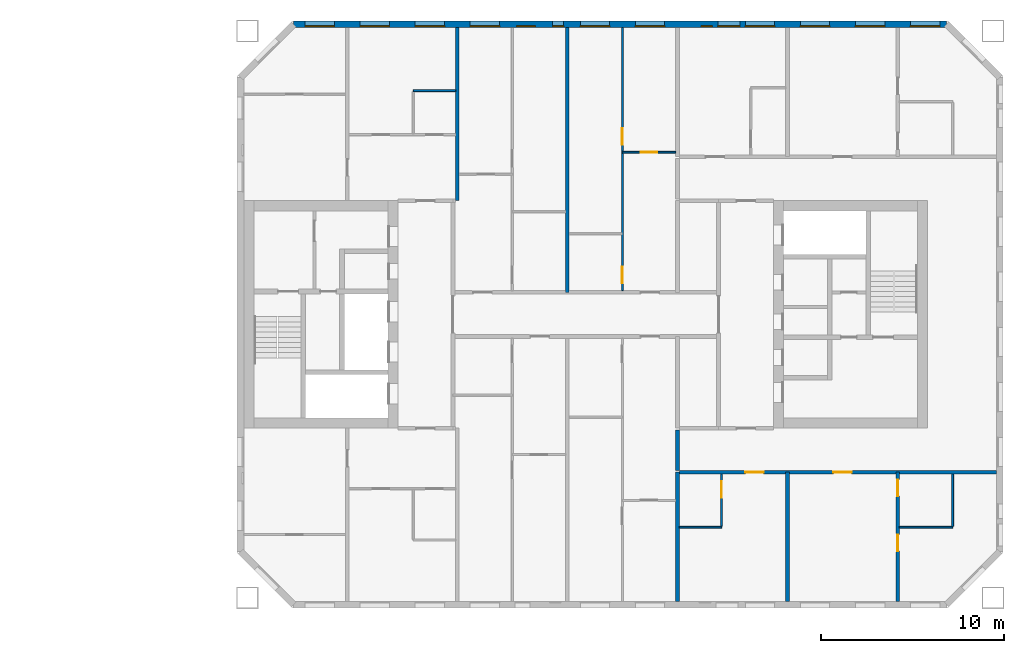
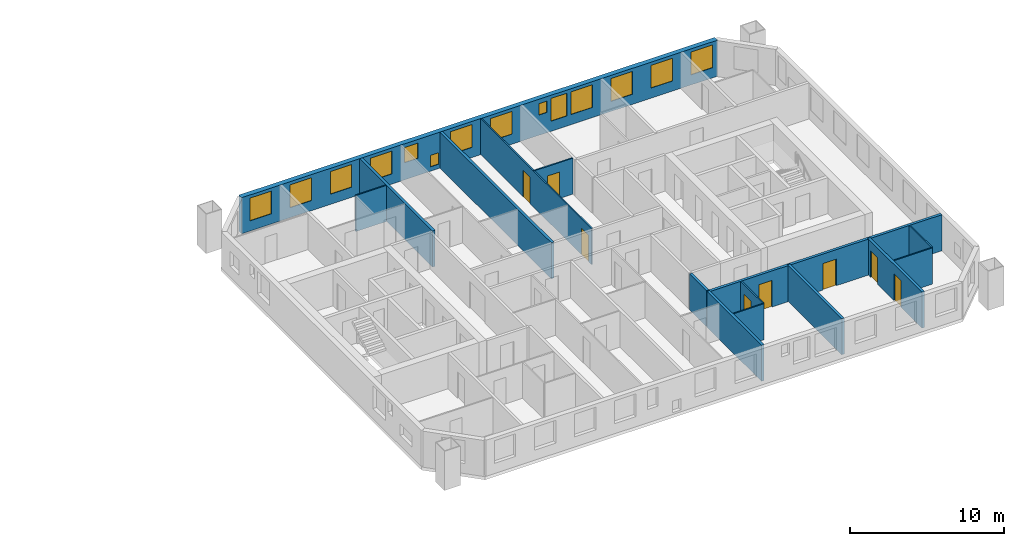
# One storey, part 12 of 16: 15 walls, 14 windows, 8 doors, 22 openings.
"""IFC4 building model written with IfcOpenShell, lengths in metres."""

from ifc_helpers import new_model, si_unit, direction, frame, frame_2d, origin, place, context, subcontext, project, spatial, rectangle, extrude, material, layer, layer_set, type_object, element, fill, save


model = new_model("IFC4")

# Units and contexts
model_context = context("Model", 3, precision=1e-05, world=origin(), true_north=direction((0.0, 1.0)))
body_context = subcontext(model_context, "Body", "Model", "MODEL_VIEW")
ifc_project = project(units=[si_unit("LENGTHUNIT", "METRE"), si_unit("AREAUNIT", "SQUARE_METRE"), si_unit("VOLUMEUNIT", "CUBIC_METRE"), si_unit("PLANEANGLEUNIT", "RADIAN"), si_unit("MASSUNIT", "GRAM", prefix="KILO")], contexts=[model_context])

# Site, building, storey
site_placement = place(None, origin())
site = spatial("IfcSite", under=ifc_project, at=site_placement, CompositionType="ELEMENT")
building_placement = place(site_placement, origin())
building = spatial("IfcBuilding", under=site, at=building_placement, Name="Tuart Gate Housing", CompositionType="ELEMENT")
storey_placement = place(building_placement, frame((0.0, 0.0, 136.10009765625)))
storey = spatial("IfcBuildingStorey", under=building, at=storey_placement, Name="L38", CompositionType="ELEMENT", Elevation=136.10009765625)

# Wall, openings, windows
ifc_material_1 = material(Name="Brick", Category="masonry")
ifc_layer_1 = layer(ifc_material_1, 0.360107421875)
ifc_layer_set_1 = layer_set([ifc_layer_1], Name="Brick pier and spandrel wall 360")
wall_type_1 = type_object("IfcWallType", Name="Brick pier and spandrel wall 360", PredefinedType="STANDARD", material=ifc_layer_set_1)
wall_1_placement = place(storey_placement, frame((169.67529296875, 85.820068359375, 0.0), z_axis=(0.0, 0.0, 1.0), x_axis=(-1.0, 0.0, 0.0)))
wall_1 = element("IfcWall", 1, at=wall_1_placement, inside=storey, type_object=wall_type_1, Name="External wall B-N L38", PredefinedType="STANDARD", context=body_context, shape_type="SweptSolid", body=[
    extrude(rectangle(XDim=35.600830078125, YDim=0.360107421875, at=frame_2d((17.80029296875, 0.0))), origin(), (0.0, 0.0, 1.0), 2.849853515625),
])
opening_1_placement = place(wall_1_placement, frame((0.37548828125, 0.0, 0.800048828125)))
opening_1 = element("IfcOpeningElement", 2, at=opening_1_placement, cuts=wall_1, Name="Opening W1", PredefinedType="OPENING", context=body_context, shape_type="SweptSolid", body=[
    extrude(rectangle(XDim=1.60009765625, YDim=1.800048828125, at=frame_2d((0.800048828125, 0.89990234375))), frame((0.0, 0.18994140625, 0.0), z_axis=(0.0, -1.0, 0.0), x_axis=(1.0, 0.0, 0.0)), (0.0, 0.0, 1.0), 0.380126953125),
])
opening_2_placement = place(wall_1_placement, frame((3.37548828125, 0.0, 0.800048828125)))
opening_2 = element("IfcOpeningElement", 3, at=opening_2_placement, cuts=wall_1, Name="Opening W1", PredefinedType="OPENING", context=body_context, shape_type="SweptSolid", body=[
    extrude(rectangle(XDim=1.60009765625, YDim=1.800048828125, at=frame_2d((0.800048828125, 0.89990234375))), frame((0.0, 0.18994140625, 0.0), z_axis=(0.0, -1.0, 0.0), x_axis=(1.0, 0.0, 0.0)), (0.0, 0.0, 1.0), 0.380126953125),
])
opening_3_placement = place(wall_1_placement, frame((6.37548828125, 0.0, 0.800048828125)))
opening_3 = element("IfcOpeningElement", 4, at=opening_3_placement, cuts=wall_1, Name="Opening W1", PredefinedType="OPENING", context=body_context, shape_type="SweptSolid", body=[
    extrude(rectangle(XDim=1.60009765625, YDim=1.800048828125, at=frame_2d((0.800048828125, 0.89990234375))), frame((0.0, 0.18994140625, 0.0), z_axis=(0.0, -1.0, 0.0), x_axis=(1.0, 0.0, 0.0)), (0.0, 0.0, 1.0), 0.380126953125),
])
opening_4_placement = place(wall_1_placement, frame((9.37548828125, 0.0, 0.800048828125)))
opening_4 = element("IfcOpeningElement", 5, at=opening_4_placement, cuts=wall_1, Name="Opening W1", PredefinedType="OPENING", context=body_context, shape_type="SweptSolid", body=[
    extrude(rectangle(XDim=1.60009765625, YDim=1.800048828125, at=frame_2d((0.800048828125, 0.89990234375))), frame((0.0, 0.18994140625, 0.0), z_axis=(0.0, -1.0, 0.0), x_axis=(1.0, 0.0, 0.0)), (0.0, 0.0, 1.0), 0.380126953125),
])
opening_5_placement = place(wall_1_placement, frame((11.275390625, 0.0, 0.800048828125)))
opening_5 = element("IfcOpeningElement", 6, at=opening_5_placement, cuts=wall_1, Name="Opening W1B", PredefinedType="OPENING", context=body_context, shape_type="SweptSolid", body=[
    extrude(rectangle(XDim=1.199951171875, YDim=1.800048828125, at=frame_2d((0.60009765625, 0.89990234375))), frame((0.0, 0.18994140625, 0.0), z_axis=(0.0, -1.0, 0.0), x_axis=(1.0, 0.0, 0.0)), (0.0, 0.0, 1.0), 0.380126953125),
])
opening_6_placement = place(wall_1_placement, frame((15.37548828125, 0.0, 0.800048828125)))
opening_6 = element("IfcOpeningElement", 7, at=opening_6_placement, cuts=wall_1, Name="Opening W1", PredefinedType="OPENING", context=body_context, shape_type="SweptSolid", body=[
    extrude(rectangle(XDim=1.60009765625, YDim=1.800048828125, at=frame_2d((0.800048828125, 0.89990234375))), frame((0.0, 0.18994140625, 0.0), z_axis=(0.0, -1.0, 0.0), x_axis=(1.0, 0.0, 0.0)), (0.0, 0.0, 1.0), 0.380126953125),
])
opening_7_placement = place(wall_1_placement, frame((18.37548828125, 0.0, 0.800048828125)))
opening_7 = element("IfcOpeningElement", 8, at=opening_7_placement, cuts=wall_1, Name="Opening W1", PredefinedType="OPENING", context=body_context, shape_type="SweptSolid", body=[
    extrude(rectangle(XDim=1.60009765625, YDim=1.800048828125, at=frame_2d((0.800048828125, 0.89990234375))), frame((0.0, 0.18994140625, 0.0), z_axis=(0.0, -1.0, 0.0), x_axis=(1.0, 0.0, 0.0)), (0.0, 0.0, 1.0), 0.380126953125),
])
opening_8_placement = place(wall_1_placement, frame((20.87548828125, 0.0, 0.35009765625)))
opening_8 = element("IfcOpeningElement", 9, at=opening_8_placement, cuts=wall_1, Name="Opening W1W", PredefinedType="OPENING", context=body_context, shape_type="SweptSolid", body=[
    extrude(rectangle(XDim=0.60009765625, YDim=0.89990234375, at=frame_2d((0.300048828125, 0.449951171875))), frame((0.0, 0.18994140625, 0.0), z_axis=(0.0, -1.0, 0.0), x_axis=(1.0, 0.0, 0.0)), (0.0, 0.0, 1.0), 0.380126953125),
])
opening_9_placement = place(wall_1_placement, frame((24.37548828125, 0.0, 0.800048828125)))
opening_9 = element("IfcOpeningElement", 10, at=opening_9_placement, cuts=wall_1, Name="Opening W1", PredefinedType="OPENING", context=body_context, shape_type="SweptSolid", body=[
    extrude(rectangle(XDim=1.60009765625, YDim=1.800048828125, at=frame_2d((0.800048828125, 0.89990234375))), frame((0.0, 0.18994140625, 0.0), z_axis=(0.0, -1.0, 0.0), x_axis=(1.0, 0.0, 0.0)), (0.0, 0.0, 1.0), 0.380126953125),
])
opening_10_placement = place(wall_1_placement, frame((27.37548828125, 0.0, 0.800048828125)))
opening_10 = element("IfcOpeningElement", 11, at=opening_10_placement, cuts=wall_1, Name="Opening W1", PredefinedType="OPENING", context=body_context, shape_type="SweptSolid", body=[
    extrude(rectangle(XDim=1.60009765625, YDim=1.800048828125, at=frame_2d((0.800048828125, 0.89990234375))), frame((0.0, 0.18994140625, 0.0), z_axis=(0.0, -1.0, 0.0), x_axis=(1.0, 0.0, 0.0)), (0.0, 0.0, 1.0), 0.380126953125),
])
opening_11_placement = place(wall_1_placement, frame((30.37548828125, 0.0, 0.800048828125)))
opening_11 = element("IfcOpeningElement", 12, at=opening_11_placement, cuts=wall_1, Name="Opening W1", PredefinedType="OPENING", context=body_context, shape_type="SweptSolid", body=[
    extrude(rectangle(XDim=1.60009765625, YDim=1.800048828125, at=frame_2d((0.800048828125, 0.89990234375))), frame((0.0, 0.18994140625, 0.0), z_axis=(0.0, -1.0, 0.0), x_axis=(1.0, 0.0, 0.0)), (0.0, 0.0, 1.0), 0.380126953125),
])
opening_12_placement = place(wall_1_placement, frame((33.37548828125, 0.0, 0.800048828125)))
opening_12 = element("IfcOpeningElement", 13, at=opening_12_placement, cuts=wall_1, Name="Opening W1", PredefinedType="OPENING", context=body_context, shape_type="SweptSolid", body=[
    extrude(rectangle(XDim=1.60009765625, YDim=1.800048828125, at=frame_2d((0.800048828125, 0.89990234375))), frame((0.0, 0.18994140625, 0.0), z_axis=(0.0, -1.0, 0.0), x_axis=(1.0, 0.0, 0.0)), (0.0, 0.0, 1.0), 0.380126953125),
])
opening_13_placement = place(wall_1_placement, frame((12.775390625, 0.0, 1.60009765625)))
opening_13 = element("IfcOpeningElement", 14, at=opening_13_placement, cuts=wall_1, Name="Opening W1W", PredefinedType="OPENING", context=body_context, shape_type="SweptSolid", body=[
    extrude(rectangle(XDim=0.60009765625, YDim=0.89990234375, at=frame_2d((0.300048828125, 0.449951171875))), frame((0.0, 0.18994140625, 0.0), z_axis=(0.0, -1.0, 0.0), x_axis=(1.0, 0.0, 0.0)), (0.0, 0.0, 1.0), 0.380126953125),
])
opening_14_placement = place(wall_1_placement, frame((22.42529296875, 0.0, 1.35009765625)))
opening_14 = element("IfcOpeningElement", 15, at=opening_14_placement, cuts=wall_1, Name="Opening W1O", PredefinedType="OPENING", context=body_context, shape_type="SweptSolid", body=[
    extrude(rectangle(XDim=1.0, YDim=1.199951171875, at=frame_2d((0.5, 0.60009765625))), frame((0.0, 0.18994140625, 0.0), z_axis=(0.0, -1.0, 0.0), x_axis=(1.0, 0.0, 0.0)), (0.0, 0.0, 1.0), 0.380126953125),
])
ifc_material_2 = material(Name="Aluminium frame with clear glass", Category="aluminium")
window_type_1 = type_object("IfcWindowType", Name="Punched window 1000 x 1200", PartitioningType="SINGLE_PANEL", PredefinedType="WINDOW", material=ifc_material_2)
window_1_placement = place(opening_14_placement, origin())
window_1 = element("IfcWindow", 16, at=window_1_placement, inside=storey, type_object=window_type_1, Name="Window W1O", OverallHeight=1.199951171875, OverallWidth=1.0, PartitioningType="SINGLE_PANEL", PredefinedType="WINDOW", context=body_context, shape_type="SweptSolid", body=[
    extrude(rectangle(XDim=1.0, YDim=1.199951171875, at=frame_2d((0.5, 0.60009765625))), frame((0.0, 0.150146484375, 0.0), z_axis=(0.0, -1.0, 0.0), x_axis=(1.0, 0.0, 0.0)), (0.0, 0.0, 1.0), 0.06005859375),
])
fill(opening_14, window_1)
ifc_material_3 = material(Name="Aluminium frame with clear glass", Category="aluminium")
window_type_2 = type_object("IfcWindowType", Name="Punched window 1200 x 1800", PartitioningType="SINGLE_PANEL", PredefinedType="WINDOW", material=ifc_material_3)
window_2_placement = place(opening_5_placement, origin())
window_2 = element("IfcWindow", 17, at=window_2_placement, inside=storey, type_object=window_type_2, Name="Window W1B", OverallHeight=1.800048828125, OverallWidth=1.199951171875, PartitioningType="SINGLE_PANEL", PredefinedType="WINDOW", context=body_context, shape_type="SweptSolid", body=[
    extrude(rectangle(XDim=1.199951171875, YDim=1.800048828125, at=frame_2d((0.60009765625, 0.89990234375))), frame((0.0, 0.150146484375, 0.0), z_axis=(0.0, -1.0, 0.0), x_axis=(1.0, 0.0, 0.0)), (0.0, 0.0, 1.0), 0.06005859375),
])
fill(opening_5, window_2)
ifc_material_4 = material(Name="Aluminium frame with clear glass", Category="aluminium")
window_type_3 = type_object("IfcWindowType", Name="Punched window 1600 x 1800", PartitioningType="SINGLE_PANEL", PredefinedType="WINDOW", material=ifc_material_4)
window_3_placement = place(opening_1_placement, origin())
window_3 = element("IfcWindow", 18, at=window_3_placement, inside=storey, type_object=window_type_3, Name="Window W1", OverallHeight=1.800048828125, OverallWidth=1.60009765625, PartitioningType="SINGLE_PANEL", PredefinedType="WINDOW", context=body_context, shape_type="SweptSolid", body=[
    extrude(rectangle(XDim=1.60009765625, YDim=1.800048828125, at=frame_2d((0.800048828125, 0.89990234375))), frame((0.0, 0.150146484375, 0.0), z_axis=(0.0, -1.0, 0.0), x_axis=(1.0, 0.0, 0.0)), (0.0, 0.0, 1.0), 0.06005859375),
])
fill(opening_1, window_3)
window_4_placement = place(opening_2_placement, origin())
window_4 = element("IfcWindow", 19, at=window_4_placement, inside=storey, type_object=window_type_3, Name="Window W1", OverallHeight=1.800048828125, OverallWidth=1.60009765625, PartitioningType="SINGLE_PANEL", PredefinedType="WINDOW", context=body_context, shape_type="SweptSolid", body=[
    extrude(rectangle(XDim=1.60009765625, YDim=1.800048828125, at=frame_2d((0.800048828125, 0.89990234375))), frame((0.0, 0.150146484375, 0.0), z_axis=(0.0, -1.0, 0.0), x_axis=(1.0, 0.0, 0.0)), (0.0, 0.0, 1.0), 0.06005859375),
])
fill(opening_2, window_4)
window_5_placement = place(opening_3_placement, origin())
window_5 = element("IfcWindow", 20, at=window_5_placement, inside=storey, type_object=window_type_3, Name="Window W1", OverallHeight=1.800048828125, OverallWidth=1.60009765625, PartitioningType="SINGLE_PANEL", PredefinedType="WINDOW", context=body_context, shape_type="SweptSolid", body=[
    extrude(rectangle(XDim=1.60009765625, YDim=1.800048828125, at=frame_2d((0.800048828125, 0.89990234375))), frame((0.0, 0.150146484375, 0.0), z_axis=(0.0, -1.0, 0.0), x_axis=(1.0, 0.0, 0.0)), (0.0, 0.0, 1.0), 0.06005859375),
])
fill(opening_3, window_5)
window_6_placement = place(opening_4_placement, origin())
window_6 = element("IfcWindow", 21, at=window_6_placement, inside=storey, type_object=window_type_3, Name="Window W1", OverallHeight=1.800048828125, OverallWidth=1.60009765625, PartitioningType="SINGLE_PANEL", PredefinedType="WINDOW", context=body_context, shape_type="SweptSolid", body=[
    extrude(rectangle(XDim=1.60009765625, YDim=1.800048828125, at=frame_2d((0.800048828125, 0.89990234375))), frame((0.0, 0.150146484375, 0.0), z_axis=(0.0, -1.0, 0.0), x_axis=(1.0, 0.0, 0.0)), (0.0, 0.0, 1.0), 0.06005859375),
])
fill(opening_4, window_6)
window_7_placement = place(opening_6_placement, origin())
window_7 = element("IfcWindow", 22, at=window_7_placement, inside=storey, type_object=window_type_3, Name="Window W1", OverallHeight=1.800048828125, OverallWidth=1.60009765625, PartitioningType="SINGLE_PANEL", PredefinedType="WINDOW", context=body_context, shape_type="SweptSolid", body=[
    extrude(rectangle(XDim=1.60009765625, YDim=1.800048828125, at=frame_2d((0.800048828125, 0.89990234375))), frame((0.0, 0.150146484375, 0.0), z_axis=(0.0, -1.0, 0.0), x_axis=(1.0, 0.0, 0.0)), (0.0, 0.0, 1.0), 0.06005859375),
])
fill(opening_6, window_7)
window_8_placement = place(opening_7_placement, origin())
window_8 = element("IfcWindow", 23, at=window_8_placement, inside=storey, type_object=window_type_3, Name="Window W1", OverallHeight=1.800048828125, OverallWidth=1.60009765625, PartitioningType="SINGLE_PANEL", PredefinedType="WINDOW", context=body_context, shape_type="SweptSolid", body=[
    extrude(rectangle(XDim=1.60009765625, YDim=1.800048828125, at=frame_2d((0.800048828125, 0.89990234375))), frame((0.0, 0.150146484375, 0.0), z_axis=(0.0, -1.0, 0.0), x_axis=(1.0, 0.0, 0.0)), (0.0, 0.0, 1.0), 0.06005859375),
])
fill(opening_7, window_8)
window_9_placement = place(opening_9_placement, origin())
window_9 = element("IfcWindow", 24, at=window_9_placement, inside=storey, type_object=window_type_3, Name="Window W1", OverallHeight=1.800048828125, OverallWidth=1.60009765625, PartitioningType="SINGLE_PANEL", PredefinedType="WINDOW", context=body_context, shape_type="SweptSolid", body=[
    extrude(rectangle(XDim=1.60009765625, YDim=1.800048828125, at=frame_2d((0.800048828125, 0.89990234375))), frame((0.0, 0.150146484375, 0.0), z_axis=(0.0, -1.0, 0.0), x_axis=(1.0, 0.0, 0.0)), (0.0, 0.0, 1.0), 0.06005859375),
])
fill(opening_9, window_9)
window_10_placement = place(opening_10_placement, origin())
window_10 = element("IfcWindow", 25, at=window_10_placement, inside=storey, type_object=window_type_3, Name="Window W1", OverallHeight=1.800048828125, OverallWidth=1.60009765625, PartitioningType="SINGLE_PANEL", PredefinedType="WINDOW", context=body_context, shape_type="SweptSolid", body=[
    extrude(rectangle(XDim=1.60009765625, YDim=1.800048828125, at=frame_2d((0.800048828125, 0.89990234375))), frame((0.0, 0.150146484375, 0.0), z_axis=(0.0, -1.0, 0.0), x_axis=(1.0, 0.0, 0.0)), (0.0, 0.0, 1.0), 0.06005859375),
])
fill(opening_10, window_10)
window_11_placement = place(opening_11_placement, origin())
window_11 = element("IfcWindow", 26, at=window_11_placement, inside=storey, type_object=window_type_3, Name="Window W1", OverallHeight=1.800048828125, OverallWidth=1.60009765625, PartitioningType="SINGLE_PANEL", PredefinedType="WINDOW", context=body_context, shape_type="SweptSolid", body=[
    extrude(rectangle(XDim=1.60009765625, YDim=1.800048828125, at=frame_2d((0.800048828125, 0.89990234375))), frame((0.0, 0.150146484375, 0.0), z_axis=(0.0, -1.0, 0.0), x_axis=(1.0, 0.0, 0.0)), (0.0, 0.0, 1.0), 0.06005859375),
])
fill(opening_11, window_11)
window_12_placement = place(opening_12_placement, origin())
window_12 = element("IfcWindow", 27, at=window_12_placement, inside=storey, type_object=window_type_3, Name="Window W1", OverallHeight=1.800048828125, OverallWidth=1.60009765625, PartitioningType="SINGLE_PANEL", PredefinedType="WINDOW", context=body_context, shape_type="SweptSolid", body=[
    extrude(rectangle(XDim=1.60009765625, YDim=1.800048828125, at=frame_2d((0.800048828125, 0.89990234375))), frame((0.0, 0.150146484375, 0.0), z_axis=(0.0, -1.0, 0.0), x_axis=(1.0, 0.0, 0.0)), (0.0, 0.0, 1.0), 0.06005859375),
])
fill(opening_12, window_12)
ifc_material_5 = material(Name="Aluminium frame with clear glass", Category="aluminium")
window_type_4 = type_object("IfcWindowType", Name="Punched window 600 x 900", PartitioningType="SINGLE_PANEL", PredefinedType="WINDOW", material=ifc_material_5)
window_13_placement = place(opening_8_placement, origin())
window_13 = element("IfcWindow", 28, at=window_13_placement, inside=storey, type_object=window_type_4, Name="Window W1W", OverallHeight=0.89990234375, OverallWidth=0.60009765625, PartitioningType="SINGLE_PANEL", PredefinedType="WINDOW", context=body_context, shape_type="SweptSolid", body=[
    extrude(rectangle(XDim=0.60009765625, YDim=0.89990234375, at=frame_2d((0.300048828125, 0.449951171875))), frame((0.0, 0.150146484375, 0.0), z_axis=(0.0, -1.0, 0.0), x_axis=(1.0, 0.0, 0.0)), (0.0, 0.0, 1.0), 0.06005859375),
])
fill(opening_8, window_13)
window_14_placement = place(opening_13_placement, origin())
window_14 = element("IfcWindow", 29, at=window_14_placement, inside=storey, type_object=window_type_4, Name="Window W1W", OverallHeight=0.89990234375, OverallWidth=0.60009765625, PartitioningType="SINGLE_PANEL", PredefinedType="WINDOW", context=body_context, shape_type="SweptSolid", body=[
    extrude(rectangle(XDim=0.60009765625, YDim=0.89990234375, at=frame_2d((0.300048828125, 0.449951171875))), frame((0.0, 0.150146484375, 0.0), z_axis=(0.0, -1.0, 0.0), x_axis=(1.0, 0.0, 0.0)), (0.0, 0.0, 1.0), 0.06005859375),
])
fill(opening_13, window_14)

# Wall, openings, doors
ifc_material_6 = material(Name="Concrete masonry 15 MPa", Category="masonry")
ifc_layer_2 = layer(ifc_material_6, 0.199951171875)
ifc_layer_set_2 = layer_set([ifc_layer_2], Name="Corridor wall masonry 200")
wall_type_2 = type_object("IfcWallType", Name="Corridor wall masonry 200", PredefinedType="PARTITIONING", material=ifc_layer_set_2)
wall_2_placement = place(storey_placement, frame((155.10009765625, 61.39990234375, 0.0), z_axis=(0.0, 0.0, 1.0), x_axis=(1.0, 0.0, 0.0)))
wall_2 = element("IfcWall", 30, at=wall_2_placement, inside=storey, type_object=wall_type_2, Name="Corridor wall masonry 200", PredefinedType="PARTITIONING", context=body_context, shape_type="SweptSolid", body=[
    extrude(rectangle(XDim=17.289794921875, YDim=0.199951171875, at=frame_2d((8.64501953125, 0.0))), origin(), (0.0, 0.0, 1.0), 2.849853515625),
])
opening_15_placement = place(wall_2_placement, frame((3.60009765625, 0.0, 0.0)))
opening_15 = element("IfcOpeningElement", 31, at=opening_15_placement, cuts=wall_2, Name="Opening D1506", PredefinedType="OPENING", context=body_context, shape_type="SweptSolid", body=[
    extrude(rectangle(XDim=1.0, YDim=2.10009765625, at=frame_2d((0.5, 1.050048828125))), frame((0.0, 0.10986328125, 0.0), z_axis=(0.0, -1.0, 0.0), x_axis=(1.0, 0.0, 0.0)), (0.0, 0.0, 1.0), 0.219970703125),
])
opening_16_placement = place(wall_2_placement, frame((8.39990234375, 0.0, 0.0)))
opening_16 = element("IfcOpeningElement", 32, at=opening_16_placement, cuts=wall_2, Name="Opening D1507", PredefinedType="OPENING", context=body_context, shape_type="SweptSolid", body=[
    extrude(rectangle(XDim=1.0, YDim=2.10009765625, at=frame_2d((0.5, 1.050048828125))), frame((0.0, 0.10986328125, 0.0), z_axis=(0.0, -1.0, 0.0), x_axis=(1.0, 0.0, 0.0)), (0.0, 0.0, 1.0), 0.219970703125),
])
ifc_material_7 = material(Name="Timber door leaf in steel frame", Category="steel")
door_type_1 = type_object("IfcDoorType", Name="Flat entrance door 1000 RH", OperationType="SINGLE_SWING_RIGHT", PredefinedType="DOOR", material=ifc_material_7)
door_1_placement = place(opening_15_placement, frame((1.0, 0.0, 0.0), z_axis=(0.0, 0.0, 1.0), x_axis=(-1.0, 0.0, 0.0)))
door_1 = element("IfcDoor", 33, at=door_1_placement, inside=storey, type_object=door_type_1, Name="Flat entrance door", OperationType="SINGLE_SWING_RIGHT", OverallHeight=2.10009765625, OverallWidth=1.0, PredefinedType="DOOR", context=body_context, shape_type="SweptSolid", body=[
    extrude(rectangle(XDim=1.0, YDim=2.10009765625, at=frame_2d((0.5, 1.050048828125))), frame((0.0, 0.025146484375, 0.0), z_axis=(0.0, -1.0, 0.0), x_axis=(1.0, 0.0, 0.0)), (0.0, 0.0, 1.0), 0.050048828125),
])
fill(opening_15, door_1)
door_2_placement = place(opening_16_placement, frame((1.0, 0.0, 0.0), z_axis=(0.0, 0.0, 1.0), x_axis=(-1.0, 0.0, 0.0)))
door_2 = element("IfcDoor", 34, at=door_2_placement, inside=storey, type_object=door_type_1, Name="Flat entrance door", OperationType="SINGLE_SWING_RIGHT", OverallHeight=2.10009765625, OverallWidth=1.0, PredefinedType="DOOR", context=body_context, shape_type="SweptSolid", body=[
    extrude(rectangle(XDim=1.0, YDim=2.10009765625, at=frame_2d((0.5, 1.050048828125))), frame((0.0, 0.025146484375, 0.0), z_axis=(0.0, -1.0, 0.0), x_axis=(1.0, 0.0, 0.0)), (0.0, 0.0, 1.0), 0.050048828125),
])
fill(opening_16, door_2)

# Walls
wall_3_placement = place(storey_placement, frame((155.0, 61.5, 0.0), z_axis=(0.0, 0.0, 1.0), x_axis=(0.0, 1.0, 0.0)))
element("IfcWall", 35, at=wall_3_placement, inside=storey, type_object=wall_type_2, Name="Corridor wall masonry 200", PredefinedType="PARTITIONING", context=body_context, shape_type="SweptSolid", body=[
    extrude(rectangle(XDim=2.199951171875, YDim=0.199951171875, at=frame_2d((1.10009765625, 0.0))), origin(), (0.0, 0.0, 1.0), 2.849853515625),
])
ifc_material_8 = material(Name="Gypsum board on steel studs", Category="steel")
ifc_layer_3 = layer(ifc_material_8, 0.10009765625)
ifc_layer_set_3 = layer_set([ifc_layer_3], Name="Partition 100")
wall_type_3 = type_object("IfcWallType", Name="Partition 100", PredefinedType="PARTITIONING", material=ifc_layer_set_3)
wall_4_placement = place(storey_placement, frame((155.10009765625, 58.39990234375, 0.0), z_axis=(0.0, 0.0, 1.0), x_axis=(1.0, 0.0, 0.0)))
element("IfcWall", 36, at=wall_4_placement, inside=storey, type_object=wall_type_3, Name="Partition 100", PredefinedType="PARTITIONING", context=body_context, shape_type="SweptSolid", body=[
    extrude(rectangle(XDim=2.2998046875, YDim=0.10009765625, at=frame_2d((1.14990234375, 0.0))), origin(), (0.0, 0.0, 1.0), 2.849853515625),
])
wall_5_placement = place(storey_placement, frame((167.10009765625, 58.39990234375, 0.0), z_axis=(0.0, 0.0, 1.0), x_axis=(1.0, 0.0, 0.0)))
element("IfcWall", 37, at=wall_5_placement, inside=storey, type_object=wall_type_3, Name="Partition 100", PredefinedType="PARTITIONING", context=body_context, shape_type="SweptSolid", body=[
    extrude(rectangle(XDim=2.89990234375, YDim=0.10009765625, at=frame_2d((1.449951171875, 0.0))), origin(), (0.0, 0.0, 1.0), 2.849853515625),
])

# Wall, opening, door
wall_6_placement = place(storey_placement, frame((152.0, 78.840087890625, 0.0), z_axis=(0.0, 0.0, 1.0), x_axis=(1.0, 0.0, 0.0)))
wall_6 = element("IfcWall", 38, at=wall_6_placement, inside=storey, type_object=wall_type_3, Name="Partition 100", PredefinedType="PARTITIONING", context=body_context, shape_type="SweptSolid", body=[
    extrude(rectangle(XDim=2.89990234375, YDim=0.10009765625, at=frame_2d((1.449951171875, 0.0))), origin(), (0.0, 0.0, 1.0), 2.849853515625),
])
opening_17_placement = place(wall_6_placement, frame((1.0, 0.0, 0.0)))
opening_17 = element("IfcOpeningElement", 39, at=opening_17_placement, cuts=wall_6, Name="Opening D1471", PredefinedType="OPENING", context=body_context, shape_type="SweptSolid", body=[
    extrude(rectangle(XDim=0.89990234375, YDim=2.10009765625, at=frame_2d((0.449951171875, 1.050048828125))), frame((0.0, 0.06005859375, 0.0), z_axis=(0.0, -1.0, 0.0), x_axis=(1.0, 0.0, 0.0)), (0.0, 0.0, 1.0), 0.1201171875),
])
ifc_material_9 = material(Name="Timber door leaf in steel frame", Category="steel")
door_type_2 = type_object("IfcDoorType", Name="Internal door 900 RH", OperationType="SINGLE_SWING_RIGHT", PredefinedType="DOOR", material=ifc_material_9)
door_3_placement = place(opening_17_placement, frame((0.89990234375, 0.0, 0.0), z_axis=(0.0, 0.0, 1.0), x_axis=(-1.0, 0.0, 0.0)))
door_3 = element("IfcDoor", 40, at=door_3_placement, inside=storey, type_object=door_type_2, Name="Internal door", OperationType="SINGLE_SWING_RIGHT", OverallHeight=2.10009765625, OverallWidth=0.89990234375, PredefinedType="DOOR", context=body_context, shape_type="SweptSolid", body=[
    extrude(rectangle(XDim=0.89990234375, YDim=2.10009765625, at=frame_2d((0.449951171875, 1.050048828125))), frame((0.0, 0.025146484375, 0.0), z_axis=(0.0, -1.0, 0.0), x_axis=(1.0, 0.0, 0.0)), (0.0, 0.0, 1.0), 0.050048828125),
])
fill(opening_17, door_3)

# Wall
wall_7_placement = place(storey_placement, frame((140.60009765625, 82.199951171875, 0.0), z_axis=(0.0, 0.0, 1.0), x_axis=(1.0, 0.0, 0.0)))
element("IfcWall", 41, at=wall_7_placement, inside=storey, type_object=wall_type_3, Name="Partition 100", PredefinedType="PARTITIONING", context=body_context, shape_type="SweptSolid", body=[
    extrude(rectangle(XDim=2.2998046875, YDim=0.10009765625, at=frame_2d((1.14990234375, 0.0))), origin(), (0.0, 0.0, 1.0), 2.849853515625),
])

# Wall, openings, doors
wall_8_placement = place(storey_placement, frame((152.0, 71.300048828125, 0.0), z_axis=(0.0, 0.0, 1.0), x_axis=(0.0, 1.0, 0.0)))
wall_8 = element("IfcWall", 42, at=wall_8_placement, inside=storey, type_object=wall_type_3, Name="Partition 100", PredefinedType="PARTITIONING", context=body_context, shape_type="SweptSolid", body=[
    extrude(rectangle(XDim=14.33984375, YDim=0.10009765625, at=frame_2d((7.169921875, 0.0))), origin(), (0.0, 0.0, 1.0), 2.849853515625),
])
opening_18_placement = place(wall_8_placement, frame((7.93994140625, 0.0, 0.0)))
opening_18 = element("IfcOpeningElement", 43, at=opening_18_placement, cuts=wall_8, Name="Opening D1477", PredefinedType="OPENING", context=body_context, shape_type="SweptSolid", body=[
    extrude(rectangle(XDim=0.89990234375, YDim=2.10009765625, at=frame_2d((0.449951171875, 1.050048828125))), frame((0.0, 0.06005859375, 0.0), z_axis=(0.0, -1.0, 0.0), x_axis=(1.0, 0.0, 0.0)), (0.0, 0.0, 1.0), 0.1201171875),
])
opening_19_placement = place(wall_8_placement, frame((0.39990234375, 0.0, 0.0)))
opening_19 = element("IfcOpeningElement", 44, at=opening_19_placement, cuts=wall_8, Name="Opening D1476", PredefinedType="OPENING", context=body_context, shape_type="SweptSolid", body=[
    extrude(rectangle(XDim=0.89990234375, YDim=2.10009765625, at=frame_2d((0.449951171875, 1.050048828125))), frame((0.0, 0.06005859375, 0.0), z_axis=(0.0, -1.0, 0.0), x_axis=(1.0, 0.0, 0.0)), (0.0, 0.0, 1.0), 0.1201171875),
])
ifc_material_10 = material(Name="Timber door leaf in steel frame", Category="steel")
door_type_3 = type_object("IfcDoorType", Name="Bathroom door 900", OperationType="SINGLE_SWING_LEFT", PredefinedType="DOOR", material=ifc_material_10)
door_4_placement = place(opening_19_placement, origin())
door_4 = element("IfcDoor", 45, at=door_4_placement, inside=storey, type_object=door_type_3, Name="Bathroom door", OperationType="SINGLE_SWING_LEFT", OverallHeight=2.10009765625, OverallWidth=0.89990234375, PredefinedType="DOOR", context=body_context, shape_type="SweptSolid", body=[
    extrude(rectangle(XDim=0.89990234375, YDim=2.10009765625, at=frame_2d((0.449951171875, 1.050048828125))), frame((0.0, 0.02490234375, 0.0), z_axis=(0.0, -1.0, 0.0), x_axis=(1.0, 0.0, 0.0)), (0.0, 0.0, 1.0), 0.050048828125),
])
fill(opening_19, door_4)
ifc_material_11 = material(Name="Timber door leaf in steel frame", Category="steel")
door_type_4 = type_object("IfcDoorType", Name="Internal door 900", OperationType="SINGLE_SWING_LEFT", PredefinedType="DOOR", material=ifc_material_11)
door_5_placement = place(opening_18_placement, origin())
door_5 = element("IfcDoor", 46, at=door_5_placement, inside=storey, type_object=door_type_4, Name="Internal door", OperationType="SINGLE_SWING_LEFT", OverallHeight=2.10009765625, OverallWidth=0.89990234375, PredefinedType="DOOR", context=body_context, shape_type="SweptSolid", body=[
    extrude(rectangle(XDim=0.89990234375, YDim=2.10009765625, at=frame_2d((0.449951171875, 1.050048828125))), frame((0.0, 0.02490234375, 0.0), z_axis=(0.0, -1.0, 0.0), x_axis=(1.0, 0.0, 0.0)), (0.0, 0.0, 1.0), 0.050048828125),
])
fill(opening_18, door_5)

# Wall, opening, door
wall_9_placement = place(storey_placement, frame((157.39990234375, 58.449951171875, 0.0), z_axis=(0.0, 0.0, 1.0), x_axis=(0.0, 1.0, 0.0)))
wall_9 = element("IfcWall", 47, at=wall_9_placement, inside=storey, type_object=wall_type_3, Name="Partition 100", PredefinedType="PARTITIONING", context=body_context, shape_type="SweptSolid", body=[
    extrude(rectangle(XDim=2.85009765625, YDim=0.10009765625, at=frame_2d((1.425048828125, 0.0))), origin(), (0.0, 0.0, 1.0), 2.849853515625),
])
opening_20_placement = place(wall_9_placement, frame((1.550048828125, 0.0, 0.0)))
opening_20 = element("IfcOpeningElement", 48, at=opening_20_placement, cuts=wall_9, Name="Opening D1510", PredefinedType="OPENING", context=body_context, shape_type="SweptSolid", body=[
    extrude(rectangle(XDim=0.89990234375, YDim=2.10009765625, at=frame_2d((0.449951171875, 1.050048828125))), frame((0.0, 0.06005859375, 0.0), z_axis=(0.0, -1.0, 0.0), x_axis=(1.0, 0.0, 0.0)), (0.0, 0.0, 1.0), 0.1201171875),
])
ifc_material_12 = material(Name="Timber door leaf in steel frame", Category="steel")
door_type_5 = type_object("IfcDoorType", Name="Bathroom door 900 RH", OperationType="SINGLE_SWING_RIGHT", PredefinedType="DOOR", material=ifc_material_12)
door_6_placement = place(opening_20_placement, origin())
door_6 = element("IfcDoor", 49, at=door_6_placement, inside=storey, type_object=door_type_5, Name="Bathroom door", OperationType="SINGLE_SWING_RIGHT", OverallHeight=2.10009765625, OverallWidth=0.89990234375, PredefinedType="DOOR", context=body_context, shape_type="SweptSolid", body=[
    extrude(rectangle(XDim=0.89990234375, YDim=2.10009765625, at=frame_2d((0.449951171875, 1.050048828125))), frame((0.0, 0.02490234375, 0.0), z_axis=(0.0, -1.0, 0.0), x_axis=(1.0, 0.0, 0.0)), (0.0, 0.0, 1.0), 0.050048828125),
])
fill(opening_20, door_6)

# Walls
wall_10_placement = place(storey_placement, frame((170.0, 58.449951171875, 0.0), z_axis=(0.0, 0.0, 1.0), x_axis=(0.0, 1.0, 0.0)))
element("IfcWall", 50, at=wall_10_placement, inside=storey, type_object=wall_type_3, Name="Partition 100", PredefinedType="PARTITIONING", context=body_context, shape_type="SweptSolid", body=[
    extrude(rectangle(XDim=2.85009765625, YDim=0.10009765625, at=frame_2d((1.425048828125, 0.0))), origin(), (0.0, 0.0, 1.0), 2.849853515625),
])
ifc_material_13 = material(Name="Concrete C40", Category="concrete")
ifc_layer_4 = layer(ifc_material_13, 0.199951171875)
ifc_layer_set_4 = layer_set([ifc_layer_4], Name="Party wall concrete C40 200")
wall_type_4 = type_object("IfcWallType", Name="Party wall concrete C40 200", PredefinedType="SOLIDWALL", material=ifc_layer_set_4)
wall_11_placement = place(storey_placement, frame((143.0, 76.199951171875, 0.0), z_axis=(0.0, 0.0, 1.0), x_axis=(0.0, 1.0, 0.0)))
element("IfcWall", 51, at=wall_11_placement, inside=storey, type_object=wall_type_4, Name="Party wall concrete C40 200", PredefinedType="SOLIDWALL", context=body_context, shape_type="SweptSolid", body=[
    extrude(rectangle(XDim=9.43994140625, YDim=0.199951171875, at=frame_2d((4.719970703125, 0.0))), origin(), (0.0, 0.0, 1.0), 2.849853515625),
])
wall_12_placement = place(storey_placement, frame((149.0, 71.199951171875, 0.0), z_axis=(0.0, 0.0, 1.0), x_axis=(0.0, 1.0, 0.0)))
element("IfcWall", 52, at=wall_12_placement, inside=storey, type_object=wall_type_4, Name="Party wall concrete C40 200", PredefinedType="SOLIDWALL", context=body_context, shape_type="SweptSolid", body=[
    extrude(rectangle(XDim=14.43994140625, YDim=0.199951171875, at=frame_2d((7.219970703125, 0.0))), origin(), (0.0, 0.0, 1.0), 2.849853515625),
])
for number, where, z_axis, x_axis, name in (
    (53, (155.0, 54.360107421875, 0.0), (0.0, 0.0, 1.0), (0.0, 1.0, 0.0), "Party wall concrete C40 200"),
    (54, (161.0, 54.360107421875, 0.0), (0.0, 0.0, 1.0), (0.0, 1.0, 0.0), "Party wall concrete C40 200"),
):
    element("IfcWall", number, at=place(storey_placement, frame(where, z_axis=z_axis, x_axis=x_axis)), inside=storey, type_object=wall_type_4, Name=name, PredefinedType="SOLIDWALL", context=body_context, shape_type="SweptSolid", body=[
        extrude(rectangle(XDim=7.039794921875, YDim=0.199951171875, at=frame_2d((3.52001953125, 0.0))), origin(), (0.0, 0.0, 1.0), 2.849853515625),
    ])

# Wall, openings, doors
wall_13_placement = place(storey_placement, frame((167.0, 54.360107421875, 0.0), z_axis=(0.0, 0.0, 1.0), x_axis=(0.0, 1.0, 0.0)))
wall_13 = element("IfcWall", 55, at=wall_13_placement, inside=storey, type_object=wall_type_4, Name="Party wall concrete C40 200", PredefinedType="SOLIDWALL", context=body_context, shape_type="SweptSolid", body=[
    extrude(rectangle(XDim=7.039794921875, YDim=0.199951171875, at=frame_2d((3.52001953125, 0.0))), origin(), (0.0, 0.0, 1.0), 2.849853515625),
])
opening_21_placement = place(wall_13_placement, frame((2.739990234375, 0.0, 0.0)))
opening_21 = element("IfcOpeningElement", 56, at=opening_21_placement, cuts=wall_13, Name="Opening D1515", PredefinedType="OPENING", context=body_context, shape_type="SweptSolid", body=[
    extrude(rectangle(XDim=0.89990234375, YDim=2.10009765625, at=frame_2d((0.449951171875, 1.050048828125))), frame((0.0, 0.10986328125, 0.0), z_axis=(0.0, -1.0, 0.0), x_axis=(1.0, 0.0, 0.0)), (0.0, 0.0, 1.0), 0.219970703125),
])
opening_22_placement = place(wall_13_placement, frame((5.739990234375, 0.0, 0.0)))
opening_22 = element("IfcOpeningElement", 57, at=opening_22_placement, cuts=wall_13, Name="Opening D1514", PredefinedType="OPENING", context=body_context, shape_type="SweptSolid", body=[
    extrude(rectangle(XDim=0.89990234375, YDim=2.10009765625, at=frame_2d((0.449951171875, 1.050048828125))), frame((0.0, 0.10986328125, 0.0), z_axis=(0.0, -1.0, 0.0), x_axis=(1.0, 0.0, 0.0)), (0.0, 0.0, 1.0), 0.219970703125),
])
door_7_placement = place(opening_22_placement, frame((0.89990234375, 0.0, 0.0), z_axis=(0.0, 0.0, 1.0), x_axis=(-1.0, 0.0, 0.0)))
door_7 = element("IfcDoor", 58, at=door_7_placement, inside=storey, type_object=door_type_3, Name="Bathroom door", OperationType="SINGLE_SWING_LEFT", OverallHeight=2.10009765625, OverallWidth=0.89990234375, PredefinedType="DOOR", context=body_context, shape_type="SweptSolid", body=[
    extrude(rectangle(XDim=0.89990234375, YDim=2.10009765625, at=frame_2d((0.449951171875, 1.050048828125))), frame((0.0, 0.025146484375, 0.0), z_axis=(0.0, -1.0, 0.0), x_axis=(1.0, 0.0, 0.0)), (0.0, 0.0, 1.0), 0.050048828125),
])
fill(opening_22, door_7)
door_8_placement = place(opening_21_placement, frame((0.89990234375, 0.0, 0.0), z_axis=(0.0, 0.0, 1.0), x_axis=(-1.0, 0.0, 0.0)))
door_8 = element("IfcDoor", 59, at=door_8_placement, inside=storey, type_object=door_type_4, Name="Internal door", OperationType="SINGLE_SWING_LEFT", OverallHeight=2.10009765625, OverallWidth=0.89990234375, PredefinedType="DOOR", context=body_context, shape_type="SweptSolid", body=[
    extrude(rectangle(XDim=0.89990234375, YDim=2.10009765625, at=frame_2d((0.449951171875, 1.050048828125))), frame((0.0, 0.025146484375, 0.0), z_axis=(0.0, -1.0, 0.0), x_axis=(1.0, 0.0, 0.0)), (0.0, 0.0, 1.0), 0.050048828125),
])
fill(opening_21, door_8)

save(model, "model.ifc")
